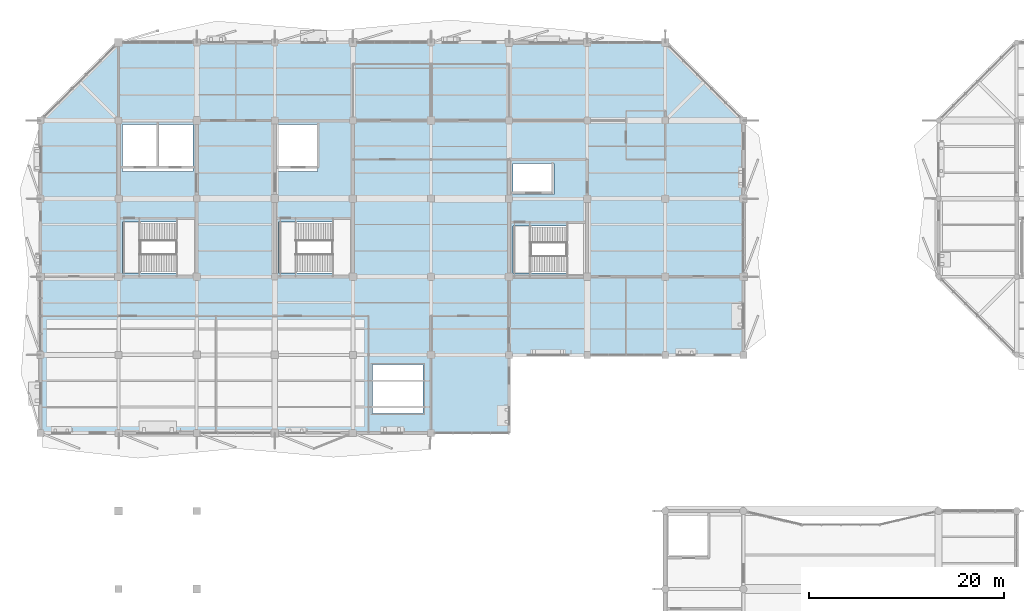
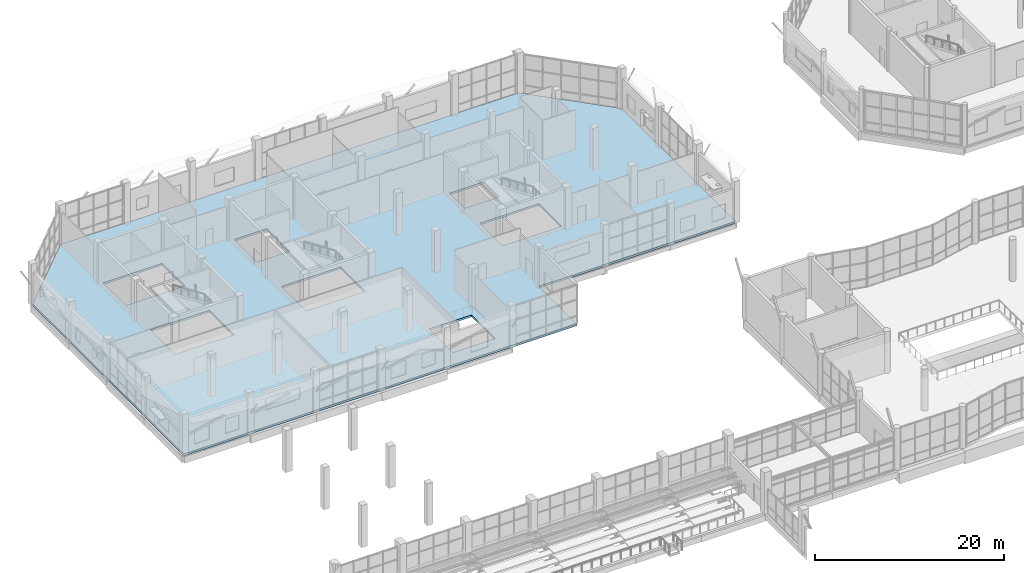
# One storey, part 81 of 122: 1 slab.
"""IFC4 building model written with IfcOpenShell, lengths in metres."""

import ifcopenshell
import ifcopenshell.guid

model = None  # the IFC model being written
_history = None  # IfcOwnerHistory: only IFC2X3 demands one
_inside = {}  # id of a spatial element -> (the spatial element, [elements in it])
_under = {}  # id of a project, library or spatial element -> (it, [spatial elements below it])
_declared = {}  # id of a project -> (the project, [libraries it declares])
_typed = {}  # id of a type object -> (the type object, [elements of that type])
_made_of = {}  # id of a material, layer set ... -> (it, [elements and type objects made of it])


def new_model(schema):
    """Start an empty IFC model of exactly this schema.

    Asked for "IFC4X3", IfcOpenShell would pick the latest addendum, in which some entities
    have other attributes; the version numbers below select the first issue.
    IFC2X3 requires an IfcOwnerHistory on every rooted entity: one is made here for all.
    """
    global model, _history
    if schema == "IFC4X3":
        model = ifcopenshell.file(schema_version=(4, 3, 0, 0))
    else:
        model = ifcopenshell.file(schema=schema)
    _inside.clear()
    _under.clear()
    _declared.clear()
    _typed.clear()
    _made_of.clear()
    _history = None
    if model.schema == "IFC2X3":
        org = make("IfcOrganization", Name="unknown")
        user = make(
            "IfcPersonAndOrganization",
            ThePerson=make("IfcPerson", FamilyName="unknown"),
            TheOrganization=org,
        )
        app = make(
            "IfcApplication",
            ApplicationDeveloper=org,
            Version="unknown",
            ApplicationFullName="unknown",
            ApplicationIdentifier="unknown",
        )
        _history = make(
            "IfcOwnerHistory",
            OwningUser=user,
            OwningApplication=app,
            ChangeAction="ADDED",
            CreationDate=0,
        )
    return model


def make(cls, **values):
    """One entity of the class cls with the attributes given. An attribute that is None is left unset."""
    return model.create_entity(
        cls, **{name: value for name, value in values.items() if value is not None}
    )


def rooted(cls, **values):
    """An entity with a GlobalId (a new one), such as an element, a storey or a relation."""
    return make(cls, GlobalId=ifcopenshell.guid.new(), OwnerHistory=_history, **values)


def si_unit(unit_type, name, prefix=None):
    """IfcSIUnit, for example si_unit("LENGTHUNIT", "METRE", prefix="MILLI")."""
    return make("IfcSIUnit", UnitType=unit_type, Prefix=prefix, Name=name)


def assignment(units):
    """IfcUnitAssignment: the units of a project."""
    return None if units is None else make("IfcUnitAssignment", Units=units)


def point(xyz):
    """IfcCartesianPoint."""
    return None if xyz is None else make("IfcCartesianPoint", Coordinates=xyz)


def direction(xyz):
    """IfcDirection."""
    return None if xyz is None else make("IfcDirection", DirectionRatios=xyz)


def frame(location, z_axis=None, x_axis=None):
    """IfcAxis2Placement3D, a coordinate frame: its origin and axes. An axis left out is left unset."""
    return make(
        "IfcAxis2Placement3D",
        Location=point(location),
        Axis=direction(z_axis),
        RefDirection=direction(x_axis),
    )


def origin():
    """The frame at (0, 0, 0) with its axes left unset."""
    return frame((0.0, 0.0, 0.0))


def place(relative_to, where):
    """IfcLocalPlacement: puts the frame where relative to a parent placement (None: the world)."""
    return make(
        "IfcLocalPlacement", PlacementRelTo=relative_to, RelativePlacement=where
    )


def context(
    kind, dimensions, precision=None, world=None, true_north=None, identifier=None
):
    """IfcGeometricRepresentationContext, for example the 3D "Model" context."""
    return make(
        "IfcGeometricRepresentationContext",
        ContextIdentifier=identifier,
        ContextType=kind,
        CoordinateSpaceDimension=dimensions,
        Precision=precision,
        WorldCoordinateSystem=world,
        TrueNorth=true_north,
    )


def subcontext(parent, identifier, kind, view, scale=None):
    """IfcGeometricRepresentationSubContext, for example "Body" below "Model"."""
    return make(
        "IfcGeometricRepresentationSubContext",
        ContextIdentifier=identifier,
        ContextType=kind,
        ParentContext=parent,
        TargetScale=scale,
        TargetView=view,
    )


def project(units=None, contexts=None):
    """IfcProject with its units and contexts."""
    return rooted(
        "IfcProject",
        Name="project",
        RepresentationContexts=contexts,
        UnitsInContext=assignment(units),
    )


def spatial(cls, under=None, at=None, **own):
    """A site, building, storey or space (cls), placed at a placement, below another one or the project."""
    s = rooted(cls, ObjectPlacement=at, **own)
    if under is not None:
        _under.setdefault(under.id(), (under, []))[1].append(s)
    return s


def polyline(points):
    """IfcPolyline through the points."""
    return make("IfcPolyline", Points=[point(p) for p in points])


def outline(outer, holes=None, kind="AREA"):
    """IfcArbitraryClosedProfileDef: a profile drawn as a closed curve; with holes, ...WithVoids."""
    if holes is None:
        return make("IfcArbitraryClosedProfileDef", ProfileType=kind, OuterCurve=outer)
    return make(
        "IfcArbitraryProfileDefWithVoids",
        ProfileType=kind,
        OuterCurve=outer,
        InnerCurves=holes,
    )


def extrude(swept, where, along, depth):
    """IfcExtrudedAreaSolid: the profile swept, set in the frame where, extruded along a direction by depth."""
    return make(
        "IfcExtrudedAreaSolid",
        SweptArea=swept,
        Position=where,
        ExtrudedDirection=direction(along),
        Depth=depth,
    )


def shape(context_of_items, identifier, shape_type, items):
    """IfcShapeRepresentation: the items that make up one representation, for example the "Body"."""
    return make(
        "IfcShapeRepresentation",
        ContextOfItems=context_of_items,
        RepresentationIdentifier=identifier,
        RepresentationType=shape_type,
        Items=items,
    )


def material(Name=None, Category=None):
    """IfcMaterial."""
    return make("IfcMaterial", Name=Name, Category=Category)


def layer(
    of_material, thickness, ventilated=None, Name=None, Category=None, Priority=None
):
    """IfcMaterialLayer: one layer of a wall or slab, of a material (None: an air gap)."""
    return make(
        "IfcMaterialLayer",
        Material=of_material,
        LayerThickness=thickness,
        IsVentilated=ventilated,
        Name=Name,
        Category=Category,
        Priority=Priority,
    )


def layer_set(layers, Name=None):
    """IfcMaterialLayerSet."""
    return make("IfcMaterialLayerSet", MaterialLayers=layers, LayerSetName=Name)


def made_of(thing, what):
    """Note that an element or type object is made of a material, layer set ...; save() writes the relation."""
    if what is not None:
        _made_of.setdefault(what.id(), (what, []))[1].append(thing)
    return thing


def type_object(cls, material=None, **own):
    """A type object (cls), such as IfcWallType, which elements share."""
    return made_of(rooted(cls, **own), material)


def element(
    cls,
    number,
    at=None,
    inside=None,
    cuts=None,
    type_object=None,
    material=None,
    context=None,
    identifier="Body",
    shape_type=None,
    held_by="IfcProductDefinitionShape",
    body=None,
    shapes=None,
    **own,
):
    """One element of the class cls, such as IfcWall. Its Tag is "e" and its number.

    at: its placement. inside: the storey or other place that contains it. cuts: it is an
    opening in that element (IfcRelVoidsElement). A single representation is given by context,
    identifier, shape_type and body (its items); several are given by shapes. held_by: the class
    of the entity that holds the representations. save() writes the other relations.
    """
    e = rooted(cls, Tag="e%d" % number, ObjectPlacement=at, **own)
    if body is not None:
        shapes = [shape(context, identifier, shape_type, body)]
    if shapes is not None:
        e.Representation = make(held_by, Representations=shapes)
    if inside is not None:
        _inside.setdefault(inside.id(), (inside, []))[1].append(e)
    if cuts is not None:
        rooted(
            "IfcRelVoidsElement", RelatingBuildingElement=cuts, RelatedOpeningElement=e
        )
    if type_object is not None:
        _typed.setdefault(type_object.id(), (type_object, []))[1].append(e)
    return made_of(e, material)


def aggregate(whole, parts):
    """IfcRelAggregates: a whole, such as a stair, and the parts it consists of."""
    return rooted("IfcRelAggregates", RelatingObject=whole, RelatedObjects=parts)


def save(model, path):
    """Write the relations noted so far, then the file.

    IfcRelAggregates (storeys below a building ...), IfcRelContainedInSpatialStructure (elements
    in a storey), IfcRelDefinesByType, IfcRelAssociatesMaterial and IfcRelDeclares: one each for
    every whole, place, type object, material and project.
    """
    for whole, parts in _under.values():
        aggregate(whole, parts)
    for where, things in _inside.values():
        rooted(
            "IfcRelContainedInSpatialStructure",
            RelatedElements=things,
            RelatingStructure=where,
        )
    for kind, things in _typed.values():
        rooted("IfcRelDefinesByType", RelatedObjects=things, RelatingType=kind)
    for what, things in _made_of.values():
        rooted("IfcRelAssociatesMaterial", RelatedObjects=things, RelatingMaterial=what)
    for by, libraries in _declared.values():
        rooted("IfcRelDeclares", RelatingContext=by, RelatedDefinitions=libraries)
    model.write(path)


model = new_model("IFC4")

# Units and contexts
model_context = context("Model", 3, precision=1e-05, world=origin(), true_north=direction((0.0, 1.0)))
body_context = subcontext(model_context, "Body", "Model", "MODEL_VIEW")
ifc_project = project(units=[si_unit("LENGTHUNIT", "METRE"), si_unit("AREAUNIT", "SQUARE_METRE"), si_unit("VOLUMEUNIT", "CUBIC_METRE"), si_unit("PLANEANGLEUNIT", "RADIAN"), si_unit("MASSUNIT", "GRAM", prefix="KILO")], contexts=[model_context])

# Site, building, storey
site_placement = place(None, origin())
site = spatial("IfcSite", under=ifc_project, at=site_placement, CompositionType="ELEMENT")
building_placement = place(site_placement, origin())
building = spatial("IfcBuilding", under=site, at=building_placement, Name="Tenunan Teduh Sports Hall", CompositionType="ELEMENT")
storey_placement = place(building_placement, frame((0.0, 0.0, 5.39990234375)))
storey = spatial("IfcBuildingStorey", under=building, at=storey_placement, Name="L01", CompositionType="ELEMENT", Elevation=5.39990234375)

# Slab
ifc_material = material(Name="Concrete C40/50", Category="concrete")
ifc_layer = layer(ifc_material, 0.260009765625)
ifc_layer_set = layer_set([ifc_layer], Name="Concrete C40/50")
slab_type = type_object("IfcSlabType", Name="SLB-FLR-260", PredefinedType="FLOOR", material=ifc_layer_set)
slab_placement = place(storey_placement, frame((0.0, 0.0, -0.260009765625)))
element("IfcSlab", 1, at=slab_placement, inside=storey, type_object=slab_type, Name="SL-L01-V5W", PredefinedType="FLOOR", context=body_context, shape_type="SweptSolid", body=[
    extrude(outline(polyline([(6.0, 78.0), (54.0, 78.0), (54.0, 86.0), (78.0, 86.0), (78.0, 110.0), (70.0, 118.0), (14.0, 118.0), (6.0, 110.0), (6.0, 78.0)]), holes=[polyline([(14.39990234375, 94.39990234375), (21.60009765625, 94.39990234375), (21.60009765625, 99.60009765625), (14.39990234375, 99.60009765625), (14.39990234375, 94.39990234375)]), polyline([(14.39990234375, 104.800048828125), (21.60009765625, 104.800048828125), (21.60009765625, 109.60009765625), (14.39990234375, 109.60009765625), (14.39990234375, 104.800048828125)]), polyline([(30.39990234375, 94.39990234375), (37.60009765625, 94.39990234375), (37.60009765625, 99.60009765625), (30.39990234375, 99.60009765625), (30.39990234375, 94.39990234375)]), polyline([(30.39990234375, 104.800048828125), (34.39990234375, 104.800048828125), (34.39990234375, 109.60009765625), (30.39990234375, 109.60009765625), (30.39990234375, 104.800048828125)]), polyline([(54.39990234375, 94.39990234375), (61.60009765625, 94.39990234375), (61.60009765625, 99.199951171875), (54.39990234375, 99.199951171875), (54.39990234375, 94.39990234375)]), polyline([(54.39990234375, 102.39990234375), (58.60009765625, 102.39990234375), (58.60009765625, 105.60009765625), (54.39990234375, 105.60009765625), (54.39990234375, 102.39990234375)]), polyline([(40.0, 80.0), (45.199951171875, 80.0), (45.199951171875, 85.0), (40.0, 85.0), (40.0, 80.0)])]), origin(), (0.0, 0.0, 1.0), 0.260009765625),
])

save(model, "model.ifc")
